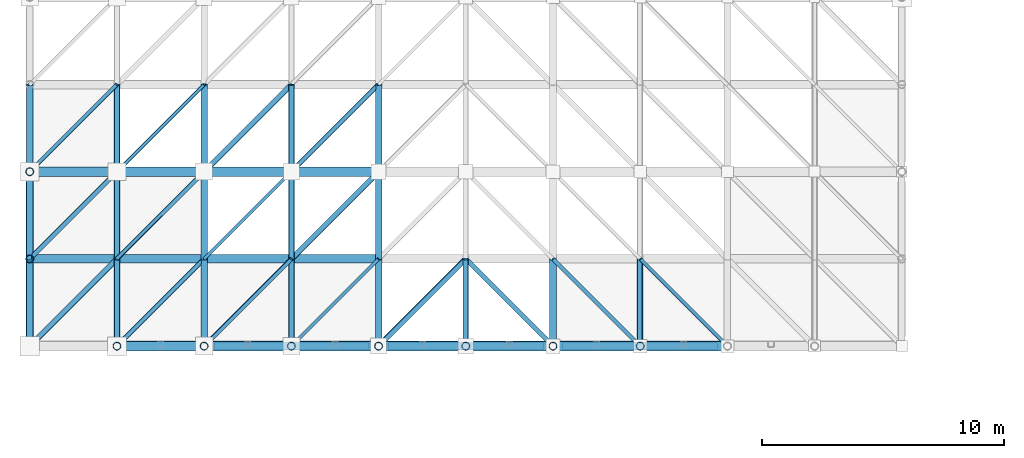
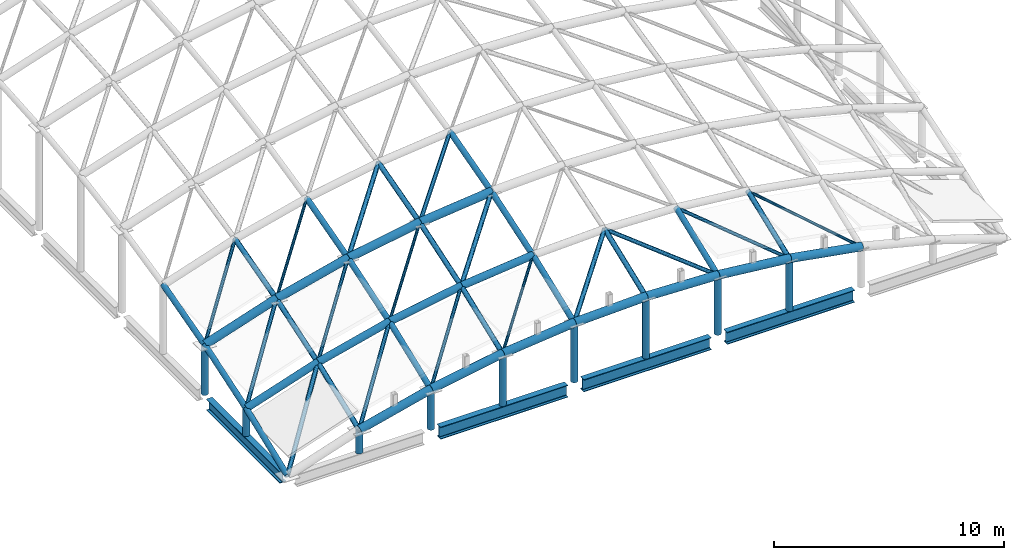
# One storey, part 2 of 40: 58 members, 4 beams.
"""IFC4 building model written with IfcOpenShell, lengths in metres."""

from ifc_helpers import new_model, si_unit, direction, frame, origin, origin_2d, place, context, subcontext, project, spatial, hollow_circle, i_section, extrude, material, material_profile, profile_set, type_object, element, save


model = new_model("IFC4")

# Units and contexts
model_context = context("Model", 3, precision=1e-05, world=origin(), true_north=direction((0.0, 1.0)))
body_context = subcontext(model_context, "Body", "Model", "MODEL_VIEW")
ifc_project = project(units=[si_unit("LENGTHUNIT", "METRE"), si_unit("AREAUNIT", "SQUARE_METRE"), si_unit("VOLUMEUNIT", "CUBIC_METRE"), si_unit("PLANEANGLEUNIT", "RADIAN"), si_unit("MASSUNIT", "GRAM", prefix="KILO")], contexts=[model_context])

# Site, building, storey
site_placement = place(None, origin())
site = spatial("IfcSite", under=ifc_project, at=site_placement, CompositionType="ELEMENT")
building_placement = place(site_placement, origin())
building = spatial("IfcBuilding", under=site, at=building_placement, Name="Kavelor Marine Aquarium", CompositionType="ELEMENT")
storey_placement = place(building_placement, frame((0.0, 0.0, 17.639892578125)))
storey = spatial("IfcBuildingStorey", under=building, at=storey_placement, Name="L04", CompositionType="ELEMENT", Elevation=17.639892578125)

# Beams
ifc_material_1 = material(Name="Steel S355", Category="steel")
ifc_material_profile_1 = material_profile(ifc_material_1, i_section(OverallWidth=0.300048828125, OverallDepth=0.64990234375, WebThickness=0.01611328125, FlangeThickness=0.031005859375, FilletRadius=0.027099609375, at=origin_2d()), Name="HEB 650")
ifc_profile_set_1 = profile_set([ifc_material_profile_1], Name="Steel S355")
beam_type_1 = type_object("IfcBeamType", Name="BM-SB1", PredefinedType="BEAM", material=ifc_profile_set_1)
for number, where, z_axis, x_axis, name in (
    (1, (10.800048828125, 24.39990234375, -0.324951171875), (1.0, 0.0, 0.0), (0.0, 1.0, 0.0), "bm:x:L04:L04:01_03"),
    (2, (18.0, 24.39990234375, -0.324951171875), (1.0, 0.0, 0.0), (0.0, 1.0, 0.0), "bm:x:L04:L04:02_03"),
):
    element("IfcBeam", number, at=place(storey_placement, frame(where, z_axis=z_axis, x_axis=x_axis)), inside=storey, type_object=beam_type_1, Name=name, PredefinedType="BEAM", context=body_context, shape_type="SweptSolid", body=[
        extrude(i_section(OverallWidth=0.300048828125, OverallDepth=0.64990234375, WebThickness=0.01611328125, FlangeThickness=0.031005859375, FilletRadius=0.027099609375, at=origin_2d()), origin(), (0.0, 0.0, 1.0), 6.39990234375),
    ])
beam_1_placement = place(storey_placement, frame((25.199951171875, 24.39990234375, -0.324951171875), z_axis=(1.0, 0.0, 0.0), x_axis=(0.0, 1.0, 0.0)))
element("IfcBeam", 3, at=beam_1_placement, inside=storey, type_object=beam_type_1, Name="bm:x:L04:L04:03_03", PredefinedType="BEAM", context=body_context, shape_type="SweptSolid", body=[
    extrude(i_section(OverallWidth=0.300048828125, OverallDepth=0.64990234375, WebThickness=0.01611328125, FlangeThickness=0.031005859375, FilletRadius=0.027099609375, at=origin_2d()), origin(), (0.0, 0.0, 1.0), 6.400146484375),
])
ifc_material_2 = material(Name="Steel S355", Category="steel")
ifc_material_profile_2 = material_profile(ifc_material_2, i_section(OverallWidth=0.300048828125, OverallDepth=0.60009765625, WebThickness=0.015380859375, FlangeThickness=0.030029296875, FilletRadius=0.027099609375, at=origin_2d()), Name="HEB 600")
ifc_profile_set_2 = profile_set([ifc_material_profile_2], Name="Steel S355")
beam_type_2 = type_object("IfcBeamType", Name="BM-SB2", PredefinedType="BEAM", material=ifc_profile_set_2)
beam_2_placement = place(storey_placement, frame((3.199951171875, 24.800048828125, -0.2998046875), z_axis=(0.0, 1.0, 0.0), x_axis=(-1.0, 0.0, 0.0)))
element("IfcBeam", 4, at=beam_2_placement, inside=storey, type_object=beam_type_2, Name="bm:y:L04:L04:00_03", PredefinedType="BEAM", context=body_context, shape_type="SweptSolid", body=[
    extrude(i_section(OverallWidth=0.300048828125, OverallDepth=0.60009765625, WebThickness=0.015380859375, FlangeThickness=0.030029296875, FilletRadius=0.027099609375, at=origin_2d()), origin(), (0.0, 0.0, 1.0), 6.39990234375),
])

# Members
ifc_material_3 = material(Name="Steel S355", Category="steel")
ifc_material_profile_3 = material_profile(ifc_material_3, hollow_circle(Radius=0.109619140625, WallThickness=0.0087890625, at=origin_2d()), Name="CHS 219.1x8.8")
ifc_profile_set_3 = profile_set([ifc_material_profile_3], Name="Steel S355")
member_type_1 = type_object("IfcMemberType", Name="GS-BR1", PredefinedType="BRACE", material=ifc_profile_set_3)
member_1_placement = place(storey_placement, frame((3.199951171875, 24.39990234375, 0.0), z_axis=(0.630740439483, 0.630740439483, 0.452032074085), x_axis=(-0.707106781187, 0.707106781187, 0.0)))
element("IfcMember", 5, at=member_1_placement, inside=storey, type_object=member_type_1, Name="gs:diag:00_00", PredefinedType="BRACE", context=body_context, shape_type="SweptSolid", body=[
    extrude(hollow_circle(Radius=0.109619140625, WallThickness=0.0087890625, at=origin_2d()), origin(), (0.0, 0.0, 1.0), 5.707763671875),
])
member_2_placement = place(storey_placement, frame((10.39990234375, 31.60009765625, 4.669677734375), z_axis=(0.673657475101, 0.673611791019, 0.304027566581), x_axis=(-0.707082803744, 0.707130757816, 0.0)))
element("IfcMember", 6, at=member_2_placement, inside=storey, type_object=member_type_1, Name="gs:diag:02_02", PredefinedType="BRACE", context=body_context, shape_type="SweptSolid", body=[
    extrude(hollow_circle(Radius=0.109619140625, WallThickness=0.0087890625, at=origin_2d()), origin(), (0.0, 0.0, 1.0), 5.343994140625),
])
member_3_placement = place(storey_placement, frame((14.0, 28.0, 4.11279296875), z_axis=(0.675852512948, 0.675852512948, 0.294018301272), x_axis=(-0.707106781187, 0.707106781187, 0.0)))
element("IfcMember", 7, at=member_3_placement, inside=storey, type_object=member_type_1, Name="gs:diag:03_01", PredefinedType="BRACE", context=body_context, shape_type="SweptSolid", body=[
    extrude(hollow_circle(Radius=0.109619140625, WallThickness=0.0087890625, at=origin_2d()), origin(), (0.0, 0.0, 1.0), 5.32666015625),
])
member_4_placement = place(storey_placement, frame((17.60009765625, 24.39990234375, 3.090087890625), z_axis=(0.677405251299, 0.677451192652, 0.286674043276), x_axis=(-0.707130757816, 0.707082803744, 0.0)))
element("IfcMember", 8, at=member_4_placement, inside=storey, type_object=member_type_1, Name="gs:diag:04_00", PredefinedType="BRACE", context=body_context, shape_type="SweptSolid", body=[
    extrude(hollow_circle(Radius=0.109619140625, WallThickness=0.0087890625, at=origin_2d()), origin(), (0.0, 0.0, 1.0), 5.314208984375),
])
ifc_material_4 = material(Name="Steel S355", Category="steel")
ifc_material_profile_4 = material_profile(ifc_material_4, hollow_circle(Radius=0.096923828125, WallThickness=0.008056640625, at=origin_2d()), Name="CHS 193.7x8.0")
ifc_profile_set_4 = profile_set([ifc_material_profile_4], Name="Steel S355")
member_type_2 = type_object("IfcMemberType", Name="GS-BR2", PredefinedType="BRACE", material=ifc_profile_set_4)
member_5_placement = place(storey_placement, frame((3.199951171875, 28.0, 1.39892578125), z_axis=(0.641002019438, 0.641002019438, 0.422176292742), x_axis=(-0.707106781187, 0.707106781187, 0.0)))
element("IfcMember", 9, at=member_5_placement, inside=storey, type_object=member_type_2, Name="gs:diag:00_01", PredefinedType="BRACE", context=body_context, shape_type="SweptSolid", body=[
    extrude(hollow_circle(Radius=0.096923828125, WallThickness=0.008056640625, at=origin_2d()), origin(), (0.0, 0.0, 1.0), 5.616455078125),
])
member_6_placement = place(storey_placement, frame((6.800048828125, 24.39990234375, 1.18115234375), z_axis=(0.644444766779, 0.644488472766, 0.411491860239), x_axis=(-0.707130757816, 0.707082803744, 0.0)))
element("IfcMember", 10, at=member_6_placement, inside=storey, type_object=member_type_2, Name="gs:diag:01_00", PredefinedType="BRACE", context=body_context, shape_type="SweptSolid", body=[
    extrude(hollow_circle(Radius=0.096923828125, WallThickness=0.008056640625, at=origin_2d()), origin(), (0.0, 0.0, 1.0), 5.5859375),
])
member_7_placement = place(storey_placement, frame((14.0, 31.60009765625, 5.302734375), z_axis=(0.682909792241, 0.682863480713, 0.259483491518), x_axis=(-0.707082803744, 0.707130757816, 0.0)))
element("IfcMember", 11, at=member_7_placement, inside=storey, type_object=member_type_2, Name="gs:diag:03_02", PredefinedType="BRACE", context=body_context, shape_type="SweptSolid", body=[
    extrude(hollow_circle(Radius=0.096923828125, WallThickness=0.008056640625, at=origin_2d()), origin(), (0.0, 0.0, 1.0), 5.271728515625),
])
member_8_placement = place(storey_placement, frame((24.800048828125, 24.39990234375, 3.090087890625), z_axis=(-0.677430110021, 0.677430110021, 0.286665121832), x_axis=(-0.707106781187, -0.707106781187, 0.0)))
element("IfcMember", 12, at=member_8_placement, inside=storey, type_object=member_type_2, Name="gs:diag:05_00", PredefinedType="BRACE", context=body_context, shape_type="SweptSolid", body=[
    extrude(hollow_circle(Radius=0.096923828125, WallThickness=0.008056640625, at=origin_2d()), origin(), (0.0, 0.0, 1.0), 5.314453125),
])
ifc_material_5 = material(Name="Steel S355", Category="steel")
ifc_material_profile_5 = material_profile(ifc_material_5, hollow_circle(Radius=0.084228515625, WallThickness=0.007080078125, at=origin_2d()), Name="CHS 168.3x7.1")
ifc_profile_set_5 = profile_set([ifc_material_profile_5], Name="Steel S355")
member_type_3 = type_object("IfcMemberType", Name="GS-BR3", PredefinedType="BRACE", material=ifc_profile_set_5)
member_9_placement = place(storey_placement, frame((3.199951171875, 31.60009765625, 2.5888671875), z_axis=(0.650374183065, 0.650330077939, 0.392535618424), x_axis=(-0.707082803744, 0.707130757816, 0.0)))
element("IfcMember", 13, at=member_9_placement, inside=storey, type_object=member_type_3, Name="gs:diag:00_02", PredefinedType="BRACE", context=body_context, shape_type="SweptSolid", body=[
    extrude(hollow_circle(Radius=0.084228515625, WallThickness=0.007080078125, at=origin_2d()), origin(), (0.0, 0.0, 1.0), 5.535400390625),
])
member_10_placement = place(storey_placement, frame((6.800048828125, 28.0, 2.580078125), z_axis=(0.65412889266, 0.65417325542, 0.379700860785), x_axis=(-0.707130757816, 0.707082803744, 0.0)))
element("IfcMember", 14, at=member_10_placement, inside=storey, type_object=member_type_3, Name="gs:diag:01_01", PredefinedType="BRACE", context=body_context, shape_type="SweptSolid", body=[
    extrude(hollow_circle(Radius=0.084228515625, WallThickness=0.007080078125, at=origin_2d()), origin(), (0.0, 0.0, 1.0), 5.503173828125),
])
member_11_placement = place(storey_placement, frame((10.39990234375, 24.39990234375, 2.0810546875), z_axis=(0.656744765129, 0.656744765129, 0.370638134776), x_axis=(-0.707106781187, 0.707106781187, 0.0)))
element("IfcMember", 15, at=member_11_placement, inside=storey, type_object=member_type_3, Name="gs:diag:02_00", PredefinedType="BRACE", context=body_context, shape_type="SweptSolid", body=[
    extrude(hollow_circle(Radius=0.084228515625, WallThickness=0.007080078125, at=origin_2d()), origin(), (0.0, 0.0, 1.0), 5.481689453125),
])
member_12_placement = place(storey_placement, frame((28.39990234375, 24.39990234375, 2.714111328125), z_axis=(-0.667681484899, 0.66772676679, 0.329154066716), x_axis=(-0.707130757816, -0.707082803744, 0.0)))
element("IfcMember", 16, at=member_12_placement, inside=storey, type_object=member_type_3, Name="gs:diag:06_00", PredefinedType="BRACE", context=body_context, shape_type="SweptSolid", body=[
    extrude(hollow_circle(Radius=0.084228515625, WallThickness=0.007080078125, at=origin_2d()), origin(), (0.0, 0.0, 1.0), 5.3916015625),
])
ifc_material_6 = material(Name="Steel S355", Category="steel")
ifc_material_profile_6 = material_profile(ifc_material_6, hollow_circle(Radius=0.06982421875, WallThickness=0.00634765625, at=origin_2d()), Name="CHS 139.7x6.3")
ifc_profile_set_6 = profile_set([ifc_material_profile_6], Name="Steel S355")
member_type_4 = type_object("IfcMemberType", Name="GS-BR4", PredefinedType="BRACE", material=ifc_profile_set_6)
member_13_placement = place(storey_placement, frame((6.800048828125, 31.60009765625, 3.77001953125), z_axis=(0.662841541998, 0.662841541998, 0.348255912232), x_axis=(-0.707106781187, 0.707106781187, 0.0)))
element("IfcMember", 17, at=member_13_placement, inside=storey, type_object=member_type_4, Name="gs:diag:01_02", PredefinedType="BRACE", context=body_context, shape_type="SweptSolid", body=[
    extrude(hollow_circle(Radius=0.06982421875, WallThickness=0.00634765625, at=origin_2d()), origin(), (0.0, 0.0, 1.0), 5.430908203125),
])
member_14_placement = place(storey_placement, frame((10.39990234375, 28.0, 3.479736328125), z_axis=(0.665718287441, 0.665718287441, 0.337102838215), x_axis=(-0.707106781187, 0.707106781187, 0.0)))
element("IfcMember", 18, at=member_14_placement, inside=storey, type_object=member_type_4, Name="gs:diag:02_01", PredefinedType="BRACE", context=body_context, shape_type="SweptSolid", body=[
    extrude(hollow_circle(Radius=0.06982421875, WallThickness=0.00634765625, at=origin_2d()), origin(), (0.0, 0.0, 1.0), 5.407958984375),
])
member_15_placement = place(storey_placement, frame((14.0, 24.39990234375, 2.714111328125), z_axis=(0.66770657905, 0.66770657905, 0.329144115225), x_axis=(-0.707106781187, 0.707106781187, 0.0)))
element("IfcMember", 19, at=member_15_placement, inside=storey, type_object=member_type_4, Name="gs:diag:03_00", PredefinedType="BRACE", context=body_context, shape_type="SweptSolid", body=[
    extrude(hollow_circle(Radius=0.06982421875, WallThickness=0.00634765625, at=origin_2d()), origin(), (0.0, 0.0, 1.0), 5.391845703125),
])
member_16_placement = place(storey_placement, frame((32.0, 24.39990234375, 2.0810546875), z_axis=(-0.656744765129, 0.656744765129, 0.370638134776), x_axis=(-0.707106781187, -0.707106781187, 0.0)))
element("IfcMember", 20, at=member_16_placement, inside=storey, type_object=member_type_4, Name="gs:diag:07_00", PredefinedType="BRACE", context=body_context, shape_type="SweptSolid", body=[
    extrude(hollow_circle(Radius=0.06982421875, WallThickness=0.00634765625, at=origin_2d()), origin(), (0.0, 0.0, 1.0), 5.481689453125),
])
ifc_material_7 = material(Name="Steel S355", Category="steel")
ifc_material_profile_7 = material_profile(ifc_material_7, hollow_circle(Radius=0.203125, WallThickness=0.01611328125, at=origin_2d()), Name="CHS 406.4x16.0")
ifc_profile_set_7 = profile_set([ifc_material_profile_7], Name="Steel S355")
member_type_5 = type_object("IfcMemberType", Name="GS-CH1", PredefinedType="CHORD", material=ifc_profile_set_7)
member_17_placement = place(storey_placement, frame((6.800048828125, 24.39990234375, 1.18115234375), z_axis=(0.970146370312, 0.0, 0.242520143843), x_axis=(0.0, 1.0, 0.0)))
element("IfcMember", 21, at=member_17_placement, inside=storey, type_object=member_type_5, Name="gs:arch:01_00", PredefinedType="CHORD", context=body_context, shape_type="SweptSolid", body=[
    extrude(hollow_circle(Radius=0.203125, WallThickness=0.01611328125, at=origin_2d()), origin(), (0.0, 0.0, 1.0), 3.710693359375),
])
member_18_placement = place(storey_placement, frame((10.39990234375, 24.39990234375, 2.0810546875), z_axis=(0.984888941579, 0.0, 0.173187103317), x_axis=(0.0, 1.0, 0.0)))
element("IfcMember", 22, at=member_18_placement, inside=storey, type_object=member_type_5, Name="gs:arch:02_00", PredefinedType="CHORD", context=body_context, shape_type="SweptSolid", body=[
    extrude(hollow_circle(Radius=0.203125, WallThickness=0.01611328125, at=origin_2d()), origin(), (0.0, 0.0, 1.0), 3.6552734375),
])
member_19_placement = place(storey_placement, frame((14.0, 24.39990234375, 2.714111328125), z_axis=(0.994590861685, 0.0, 0.103870197138), x_axis=(0.0, 1.0, 0.0)))
element("IfcMember", 23, at=member_19_placement, inside=storey, type_object=member_type_5, Name="gs:arch:03_00", PredefinedType="CHORD", context=body_context, shape_type="SweptSolid", body=[
    extrude(hollow_circle(Radius=0.203125, WallThickness=0.01611328125, at=origin_2d()), origin(), (0.0, 0.0, 1.0), 3.61962890625),
])
member_20_placement = place(storey_placement, frame((17.60009765625, 24.39990234375, 3.090087890625), z_axis=(0.999400027608, 0.0, 0.034635022998), x_axis=(0.0, 1.0, 0.0)))
element("IfcMember", 24, at=member_20_placement, inside=storey, type_object=member_type_5, Name="gs:arch:04_00", PredefinedType="CHORD", context=body_context, shape_type="SweptSolid", body=[
    extrude(hollow_circle(Radius=0.203125, WallThickness=0.01611328125, at=origin_2d()), origin(), (0.0, 0.0, 1.0), 3.60205078125),
])
member_21_placement = place(storey_placement, frame((21.199951171875, 24.39990234375, 3.21484375), z_axis=(0.999400108906, 0.0, -0.034632677041), x_axis=(0.0, 1.0, 0.0)))
element("IfcMember", 25, at=member_21_placement, inside=storey, type_object=member_type_5, Name="gs:arch:05_00", PredefinedType="CHORD", context=body_context, shape_type="SweptSolid", body=[
    extrude(hollow_circle(Radius=0.203125, WallThickness=0.01611328125, at=origin_2d()), origin(), (0.0, 0.0, 1.0), 3.602294921875),
])
member_22_placement = place(storey_placement, frame((24.800048828125, 24.39990234375, 3.090087890625), z_axis=(0.994590133912, 0.0, -0.103877165563), x_axis=(0.0, 1.0, 0.0)))
element("IfcMember", 26, at=member_22_placement, inside=storey, type_object=member_type_5, Name="gs:arch:06_00", PredefinedType="CHORD", context=body_context, shape_type="SweptSolid", body=[
    extrude(hollow_circle(Radius=0.203125, WallThickness=0.01611328125, at=origin_2d()), origin(), (0.0, 0.0, 1.0), 3.619384765625),
])
member_23_placement = place(storey_placement, frame((28.39990234375, 24.39990234375, 2.714111328125), z_axis=(0.984888941579, 0.0, -0.173187103317), x_axis=(0.0, 1.0, 0.0)))
element("IfcMember", 27, at=member_23_placement, inside=storey, type_object=member_type_5, Name="gs:arch:07_00", PredefinedType="CHORD", context=body_context, shape_type="SweptSolid", body=[
    extrude(hollow_circle(Radius=0.203125, WallThickness=0.01611328125, at=origin_2d()), origin(), (0.0, 0.0, 1.0), 3.6552734375),
])
member_24_placement = place(storey_placement, frame((3.199951171875, 31.60009765625, 2.5888671875), z_axis=(0.950167603973, 0.0, 0.311739513632), x_axis=(0.0, 1.0, 0.0)))
element("IfcMember", 28, at=member_24_placement, inside=storey, type_object=member_type_5, Name="gs:arch:00_02", PredefinedType="CHORD", context=body_context, shape_type="SweptSolid", body=[
    extrude(hollow_circle(Radius=0.203125, WallThickness=0.01611328125, at=origin_2d()), origin(), (0.0, 0.0, 1.0), 3.788818359375),
])
member_25_placement = place(storey_placement, frame((6.800048828125, 31.60009765625, 3.77001953125), z_axis=(0.970161848818, 0.0, 0.242458217219), x_axis=(0.0, 1.0, 0.0)))
element("IfcMember", 29, at=member_25_placement, inside=storey, type_object=member_type_5, Name="gs:arch:01_02", PredefinedType="CHORD", context=body_context, shape_type="SweptSolid", body=[
    extrude(hollow_circle(Radius=0.203125, WallThickness=0.01611328125, at=origin_2d()), origin(), (0.0, 0.0, 1.0), 3.71044921875),
])
member_26_placement = place(storey_placement, frame((10.39990234375, 31.60009765625, 4.669677734375), z_axis=(0.984888941579, 0.0, 0.173187103317), x_axis=(0.0, 1.0, 0.0)))
element("IfcMember", 30, at=member_26_placement, inside=storey, type_object=member_type_5, Name="gs:arch:02_02", PredefinedType="CHORD", context=body_context, shape_type="SweptSolid", body=[
    extrude(hollow_circle(Radius=0.203125, WallThickness=0.01611328125, at=origin_2d()), origin(), (0.0, 0.0, 1.0), 3.6552734375),
])
member_27_placement = place(storey_placement, frame((14.0, 31.60009765625, 5.302734375), z_axis=(0.994583891535, 0.0, 0.103936916917), x_axis=(0.0, 1.0, 0.0)))
element("IfcMember", 31, at=member_27_placement, inside=storey, type_object=member_type_5, Name="gs:arch:03_02", PredefinedType="CHORD", context=body_context, shape_type="SweptSolid", body=[
    extrude(hollow_circle(Radius=0.203125, WallThickness=0.01611328125, at=origin_2d()), origin(), (0.0, 0.0, 1.0), 3.61962890625),
])
ifc_material_8 = material(Name="Steel S355", Category="steel")
ifc_material_profile_8 = material_profile(ifc_material_8, hollow_circle(Radius=0.177734375, WallThickness=0.01416015625, at=origin_2d()), Name="CHS 355.6x14.2")
ifc_profile_set_8 = profile_set([ifc_material_profile_8], Name="Steel S355")
member_type_6 = type_object("IfcMemberType", Name="GS-CH2", PredefinedType="CHORD", material=ifc_profile_set_8)
member_28_placement = place(storey_placement, frame((3.199951171875, 28.0, 1.39892578125), z_axis=(0.950167603973, 0.0, 0.311739513632), x_axis=(0.0, 1.0, 0.0)))
element("IfcMember", 32, at=member_28_placement, inside=storey, type_object=member_type_6, Name="gs:arch:00_01", PredefinedType="CHORD", context=body_context, shape_type="SweptSolid", body=[
    extrude(hollow_circle(Radius=0.177734375, WallThickness=0.01416015625, at=origin_2d()), origin(), (0.0, 0.0, 1.0), 3.788818359375),
])
member_29_placement = place(storey_placement, frame((6.800048828125, 28.0, 2.580078125), z_axis=(0.970161848818, 0.0, 0.242458217219), x_axis=(0.0, 1.0, 0.0)))
element("IfcMember", 33, at=member_29_placement, inside=storey, type_object=member_type_6, Name="gs:arch:01_01", PredefinedType="CHORD", context=body_context, shape_type="SweptSolid", body=[
    extrude(hollow_circle(Radius=0.177734375, WallThickness=0.01416015625, at=origin_2d()), origin(), (0.0, 0.0, 1.0), 3.71044921875),
])
member_30_placement = place(storey_placement, frame((10.39990234375, 28.0, 3.479736328125), z_axis=(0.984888941579, 0.0, 0.173187103317), x_axis=(0.0, 1.0, 0.0)))
element("IfcMember", 34, at=member_30_placement, inside=storey, type_object=member_type_6, Name="gs:arch:02_01", PredefinedType="CHORD", context=body_context, shape_type="SweptSolid", body=[
    extrude(hollow_circle(Radius=0.177734375, WallThickness=0.01416015625, at=origin_2d()), origin(), (0.0, 0.0, 1.0), 3.6552734375),
])
member_31_placement = place(storey_placement, frame((14.0, 28.0, 4.11279296875), z_axis=(0.994590861685, 0.0, 0.103870197138), x_axis=(0.0, 1.0, 0.0)))
element("IfcMember", 35, at=member_31_placement, inside=storey, type_object=member_type_6, Name="gs:arch:03_01", PredefinedType="CHORD", context=body_context, shape_type="SweptSolid", body=[
    extrude(hollow_circle(Radius=0.177734375, WallThickness=0.01416015625, at=origin_2d()), origin(), (0.0, 0.0, 1.0), 3.61962890625),
])
ifc_material_9 = material(Name="Steel S355", Category="steel")
ifc_material_profile_9 = material_profile(ifc_material_9, hollow_circle(Radius=0.161865234375, WallThickness=0.012451171875, at=origin_2d()), Name="CHS 323.9x12.5")
ifc_profile_set_9 = profile_set([ifc_material_profile_9], Name="Steel S355")
member_type_7 = type_object("IfcMemberType", Name="GS-CH3", PredefinedType="CHORD", material=ifc_profile_set_9)
member_32_placement = place(storey_placement, frame((6.800048828125, 24.39990234375, 0.0), z_axis=(0.0, 0.0, 1.0), x_axis=(1.0, 0.0, 0.0)))
element("IfcMember", 36, at=member_32_placement, inside=storey, type_object=member_type_7, Name="gs:post:y:01_00", PredefinedType="CHORD", context=body_context, shape_type="SweptSolid", body=[
    extrude(hollow_circle(Radius=0.161865234375, WallThickness=0.012451171875, at=origin_2d()), origin(), (0.0, 0.0, 1.0), 1.18115234375),
])
member_33_placement = place(storey_placement, frame((10.39990234375, 24.39990234375, 0.0), z_axis=(0.0, 0.0, 1.0), x_axis=(1.0, 0.0, 0.0)))
element("IfcMember", 37, at=member_33_placement, inside=storey, type_object=member_type_7, Name="gs:post:y:02_00", PredefinedType="CHORD", context=body_context, shape_type="SweptSolid", body=[
    extrude(hollow_circle(Radius=0.161865234375, WallThickness=0.012451171875, at=origin_2d()), origin(), (0.0, 0.0, 1.0), 2.0810546875),
])
member_34_placement = place(storey_placement, frame((14.0, 24.39990234375, 0.0), z_axis=(0.0, 0.0, 1.0), x_axis=(1.0, 0.0, 0.0)))
element("IfcMember", 38, at=member_34_placement, inside=storey, type_object=member_type_7, Name="gs:post:y:03_00", PredefinedType="CHORD", context=body_context, shape_type="SweptSolid", body=[
    extrude(hollow_circle(Radius=0.161865234375, WallThickness=0.012451171875, at=origin_2d()), origin(), (0.0, 0.0, 1.0), 2.714111328125),
])
member_35_placement = place(storey_placement, frame((17.60009765625, 24.39990234375, 0.0), z_axis=(0.0, 0.0, 1.0), x_axis=(1.0, 0.0, 0.0)))
element("IfcMember", 39, at=member_35_placement, inside=storey, type_object=member_type_7, Name="gs:post:y:04_00", PredefinedType="CHORD", context=body_context, shape_type="SweptSolid", body=[
    extrude(hollow_circle(Radius=0.161865234375, WallThickness=0.012451171875, at=origin_2d()), origin(), (0.0, 0.0, 1.0), 3.090087890625),
])
member_36_placement = place(storey_placement, frame((21.199951171875, 24.39990234375, 0.0), z_axis=(0.0, 0.0, 1.0), x_axis=(1.0, 0.0, 0.0)))
element("IfcMember", 40, at=member_36_placement, inside=storey, type_object=member_type_7, Name="gs:post:y:05_00", PredefinedType="CHORD", context=body_context, shape_type="SweptSolid", body=[
    extrude(hollow_circle(Radius=0.161865234375, WallThickness=0.012451171875, at=origin_2d()), origin(), (0.0, 0.0, 1.0), 3.21484375),
])
member_37_placement = place(storey_placement, frame((24.800048828125, 24.39990234375, 0.0), z_axis=(0.0, 0.0, 1.0), x_axis=(1.0, 0.0, 0.0)))
element("IfcMember", 41, at=member_37_placement, inside=storey, type_object=member_type_7, Name="gs:post:y:06_00", PredefinedType="CHORD", context=body_context, shape_type="SweptSolid", body=[
    extrude(hollow_circle(Radius=0.161865234375, WallThickness=0.012451171875, at=origin_2d()), origin(), (0.0, 0.0, 1.0), 3.090087890625),
])
member_38_placement = place(storey_placement, frame((28.39990234375, 24.39990234375, 0.0), z_axis=(0.0, 0.0, 1.0), x_axis=(1.0, 0.0, 0.0)))
element("IfcMember", 42, at=member_38_placement, inside=storey, type_object=member_type_7, Name="gs:post:y:07_00", PredefinedType="CHORD", context=body_context, shape_type="SweptSolid", body=[
    extrude(hollow_circle(Radius=0.161865234375, WallThickness=0.012451171875, at=origin_2d()), origin(), (0.0, 0.0, 1.0), 2.714111328125),
])
member_39_placement = place(storey_placement, frame((3.199951171875, 28.0, 0.0), z_axis=(0.0, 0.0, 1.0), x_axis=(1.0, 0.0, 0.0)))
element("IfcMember", 43, at=member_39_placement, inside=storey, type_object=member_type_7, Name="gs:post:x:00_01", PredefinedType="CHORD", context=body_context, shape_type="SweptSolid", body=[
    extrude(hollow_circle(Radius=0.161865234375, WallThickness=0.012451171875, at=origin_2d()), origin(), (0.0, 0.0, 1.0), 1.39892578125),
])
member_40_placement = place(storey_placement, frame((3.199951171875, 31.60009765625, 0.0), z_axis=(0.0, 0.0, 1.0), x_axis=(1.0, 0.0, 0.0)))
element("IfcMember", 44, at=member_40_placement, inside=storey, type_object=member_type_7, Name="gs:post:x:00_02", PredefinedType="CHORD", context=body_context, shape_type="SweptSolid", body=[
    extrude(hollow_circle(Radius=0.161865234375, WallThickness=0.012451171875, at=origin_2d()), origin(), (0.0, 0.0, 1.0), 2.5888671875),
])
ifc_material_10 = material(Name="Steel S355", Category="steel")
ifc_material_profile_10 = material_profile(ifc_material_10, hollow_circle(Radius=0.136474609375, WallThickness=0.010009765625, at=origin_2d()), Name="CHS 273.0x10.0")
ifc_profile_set_10 = profile_set([ifc_material_profile_10], Name="Steel S355")
member_type_8 = type_object("IfcMemberType", Name="GS-CH4", PredefinedType="CHORD", material=ifc_profile_set_10)
member_41_placement = place(storey_placement, frame((3.199951171875, 24.39990234375, 0.0), z_axis=(0.0, 0.932101910958, 0.362196117577), x_axis=(-1.0, 0.0, 0.0)))
element("IfcMember", 45, at=member_41_placement, inside=storey, type_object=member_type_8, Name="gs:long:00_00", PredefinedType="CHORD", context=body_context, shape_type="SweptSolid", body=[
    extrude(hollow_circle(Radius=0.136474609375, WallThickness=0.010009765625, at=origin_2d()), origin(), (0.0, 0.0, 1.0), 3.8623046875),
])
member_42_placement = place(storey_placement, frame((3.199951171875, 28.0, 1.39892578125), z_axis=(0.0, 0.949478696562, 0.313831491051), x_axis=(-1.0, 0.0, 0.0)))
element("IfcMember", 46, at=member_42_placement, inside=storey, type_object=member_type_8, Name="gs:long:00_01", PredefinedType="CHORD", context=body_context, shape_type="SweptSolid", body=[
    extrude(hollow_circle(Radius=0.136474609375, WallThickness=0.010009765625, at=origin_2d()), origin(), (0.0, 0.0, 1.0), 3.791748046875),
])
member_43_placement = place(storey_placement, frame((3.199951171875, 31.60009765625, 2.5888671875), z_axis=(0.0, 0.964086191144, 0.265589563135), x_axis=(-1.0, 0.0, 0.0)))
element("IfcMember", 47, at=member_43_placement, inside=storey, type_object=member_type_8, Name="gs:long:00_02", PredefinedType="CHORD", context=body_context, shape_type="SweptSolid", body=[
    extrude(hollow_circle(Radius=0.136474609375, WallThickness=0.010009765625, at=origin_2d()), origin(), (0.0, 0.0, 1.0), 3.73388671875),
])
member_44_placement = place(storey_placement, frame((10.39990234375, 24.39990234375, 2.0810546875), z_axis=(0.0, 0.932123249924, 0.362141197533), x_axis=(-1.0, 0.0, 0.0)))
element("IfcMember", 48, at=member_44_placement, inside=storey, type_object=member_type_8, Name="gs:long:02_00", PredefinedType="CHORD", context=body_context, shape_type="SweptSolid", body=[
    extrude(hollow_circle(Radius=0.136474609375, WallThickness=0.010009765625, at=origin_2d()), origin(), (0.0, 0.0, 1.0), 3.8623046875),
])
member_45_placement = place(storey_placement, frame((10.39990234375, 28.0, 3.479736328125), z_axis=(0.0, 0.949478696562, 0.313831491051), x_axis=(-1.0, 0.0, 0.0)))
element("IfcMember", 49, at=member_45_placement, inside=storey, type_object=member_type_8, Name="gs:long:02_01", PredefinedType="CHORD", context=body_context, shape_type="SweptSolid", body=[
    extrude(hollow_circle(Radius=0.136474609375, WallThickness=0.010009765625, at=origin_2d()), origin(), (0.0, 0.0, 1.0), 3.791748046875),
])
member_46_placement = place(storey_placement, frame((10.39990234375, 31.60009765625, 4.669677734375), z_axis=(0.0, 0.964086191144, 0.265589563135), x_axis=(-1.0, 0.0, 0.0)))
element("IfcMember", 50, at=member_46_placement, inside=storey, type_object=member_type_8, Name="gs:long:02_02", PredefinedType="CHORD", context=body_context, shape_type="SweptSolid", body=[
    extrude(hollow_circle(Radius=0.136474609375, WallThickness=0.010009765625, at=origin_2d()), origin(), (0.0, 0.0, 1.0), 3.73388671875),
])
member_47_placement = place(storey_placement, frame((17.60009765625, 24.39990234375, 3.090087890625), z_axis=(0.0, 0.932123249924, 0.362141197533), x_axis=(-1.0, 0.0, 0.0)))
element("IfcMember", 51, at=member_47_placement, inside=storey, type_object=member_type_8, Name="gs:long:04_00", PredefinedType="CHORD", context=body_context, shape_type="SweptSolid", body=[
    extrude(hollow_circle(Radius=0.136474609375, WallThickness=0.010009765625, at=origin_2d()), origin(), (0.0, 0.0, 1.0), 3.8623046875),
])
member_48_placement = place(storey_placement, frame((17.60009765625, 28.0, 4.48876953125), z_axis=(0.0, 0.949459508808, 0.313889536514), x_axis=(-1.0, 0.0, 0.0)))
element("IfcMember", 52, at=member_48_placement, inside=storey, type_object=member_type_8, Name="gs:long:04_01", PredefinedType="CHORD", context=body_context, shape_type="SweptSolid", body=[
    extrude(hollow_circle(Radius=0.136474609375, WallThickness=0.010009765625, at=origin_2d()), origin(), (0.0, 0.0, 1.0), 3.791748046875),
])
member_49_placement = place(storey_placement, frame((17.60009765625, 31.60009765625, 5.678955078125), z_axis=(0.0, 0.964086191144, 0.265589563135), x_axis=(-1.0, 0.0, 0.0)))
element("IfcMember", 53, at=member_49_placement, inside=storey, type_object=member_type_8, Name="gs:long:04_02", PredefinedType="CHORD", context=body_context, shape_type="SweptSolid", body=[
    extrude(hollow_circle(Radius=0.136474609375, WallThickness=0.010009765625, at=origin_2d()), origin(), (0.0, 0.0, 1.0), 3.73388671875),
])
member_50_placement = place(storey_placement, frame((24.800048828125, 24.39990234375, 3.090087890625), z_axis=(0.0, 0.932123249924, 0.362141197533), x_axis=(-1.0, 0.0, 0.0)))
element("IfcMember", 54, at=member_50_placement, inside=storey, type_object=member_type_8, Name="gs:long:06_00", PredefinedType="CHORD", context=body_context, shape_type="SweptSolid", body=[
    extrude(hollow_circle(Radius=0.136474609375, WallThickness=0.010009765625, at=origin_2d()), origin(), (0.0, 0.0, 1.0), 3.8623046875),
])
ifc_material_11 = material(Name="Steel S355", Category="steel")
ifc_material_profile_11 = material_profile(ifc_material_11, hollow_circle(Radius=0.122314453125, WallThickness=0.010009765625, at=origin_2d()), Name="CHS 244.5x10.0")
ifc_profile_set_11 = profile_set([ifc_material_profile_11], Name="Steel S355")
member_type_9 = type_object("IfcMemberType", Name="GS-CH5", PredefinedType="CHORD", material=ifc_profile_set_11)
member_51_placement = place(storey_placement, frame((6.800048828125, 24.39990234375, 1.18115234375), z_axis=(0.0, 0.932101910958, 0.362196117577), x_axis=(-1.0, 0.0, 0.0)))
element("IfcMember", 55, at=member_51_placement, inside=storey, type_object=member_type_9, Name="gs:long:01_00", PredefinedType="CHORD", context=body_context, shape_type="SweptSolid", body=[
    extrude(hollow_circle(Radius=0.122314453125, WallThickness=0.010009765625, at=origin_2d()), origin(), (0.0, 0.0, 1.0), 3.8623046875),
])
member_52_placement = place(storey_placement, frame((6.800048828125, 28.0, 2.580078125), z_axis=(0.0, 0.949478696562, 0.313831491051), x_axis=(-1.0, 0.0, 0.0)))
element("IfcMember", 56, at=member_52_placement, inside=storey, type_object=member_type_9, Name="gs:long:01_01", PredefinedType="CHORD", context=body_context, shape_type="SweptSolid", body=[
    extrude(hollow_circle(Radius=0.122314453125, WallThickness=0.010009765625, at=origin_2d()), origin(), (0.0, 0.0, 1.0), 3.791748046875),
])
member_53_placement = place(storey_placement, frame((6.800048828125, 31.60009765625, 3.77001953125), z_axis=(0.0, 0.964086191144, 0.265589563135), x_axis=(-1.0, 0.0, 0.0)))
element("IfcMember", 57, at=member_53_placement, inside=storey, type_object=member_type_9, Name="gs:long:01_02", PredefinedType="CHORD", context=body_context, shape_type="SweptSolid", body=[
    extrude(hollow_circle(Radius=0.122314453125, WallThickness=0.010009765625, at=origin_2d()), origin(), (0.0, 0.0, 1.0), 3.73388671875),
])
member_54_placement = place(storey_placement, frame((14.0, 24.39990234375, 2.714111328125), z_axis=(0.0, 0.932123249924, 0.362141197533), x_axis=(-1.0, 0.0, 0.0)))
element("IfcMember", 58, at=member_54_placement, inside=storey, type_object=member_type_9, Name="gs:long:03_00", PredefinedType="CHORD", context=body_context, shape_type="SweptSolid", body=[
    extrude(hollow_circle(Radius=0.122314453125, WallThickness=0.010009765625, at=origin_2d()), origin(), (0.0, 0.0, 1.0), 3.8623046875),
])
member_55_placement = place(storey_placement, frame((14.0, 28.0, 4.11279296875), z_axis=(0.0, 0.949478696562, 0.313831491051), x_axis=(-1.0, 0.0, 0.0)))
element("IfcMember", 59, at=member_55_placement, inside=storey, type_object=member_type_9, Name="gs:long:03_01", PredefinedType="CHORD", context=body_context, shape_type="SweptSolid", body=[
    extrude(hollow_circle(Radius=0.122314453125, WallThickness=0.010009765625, at=origin_2d()), origin(), (0.0, 0.0, 1.0), 3.791748046875),
])
member_56_placement = place(storey_placement, frame((14.0, 31.60009765625, 5.302734375), z_axis=(0.0, 0.964086191144, 0.265589563135), x_axis=(-1.0, 0.0, 0.0)))
element("IfcMember", 60, at=member_56_placement, inside=storey, type_object=member_type_9, Name="gs:long:03_02", PredefinedType="CHORD", context=body_context, shape_type="SweptSolid", body=[
    extrude(hollow_circle(Radius=0.122314453125, WallThickness=0.010009765625, at=origin_2d()), origin(), (0.0, 0.0, 1.0), 3.73388671875),
])
for number, where, z_axis, x_axis, name in (
    (61, (21.199951171875, 24.39990234375, 3.21484375), (0.0, 0.932123249924, 0.362141197533), (-1.0, 0.0, 0.0), "gs:long:05_00"),
    (62, (28.39990234375, 24.39990234375, 2.714111328125), (0.0, 0.932123249924, 0.362141197533), (-1.0, 0.0, 0.0), "gs:long:07_00"),
):
    element("IfcMember", number, at=place(storey_placement, frame(where, z_axis=z_axis, x_axis=x_axis)), inside=storey, type_object=member_type_9, Name=name, PredefinedType="CHORD", context=body_context, shape_type="SweptSolid", body=[
        extrude(hollow_circle(Radius=0.122314453125, WallThickness=0.010009765625, at=origin_2d()), origin(), (0.0, 0.0, 1.0), 3.8623046875),
    ])

save(model, "model.ifc")
